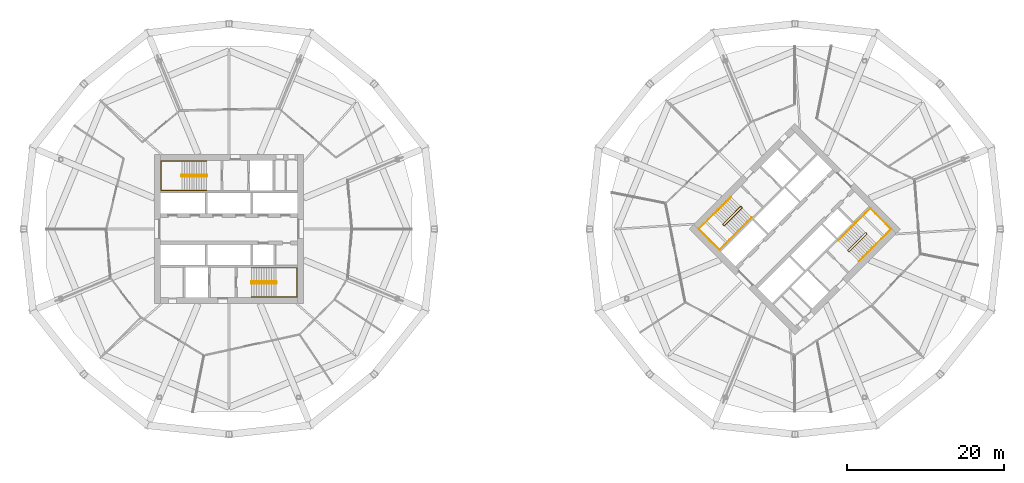
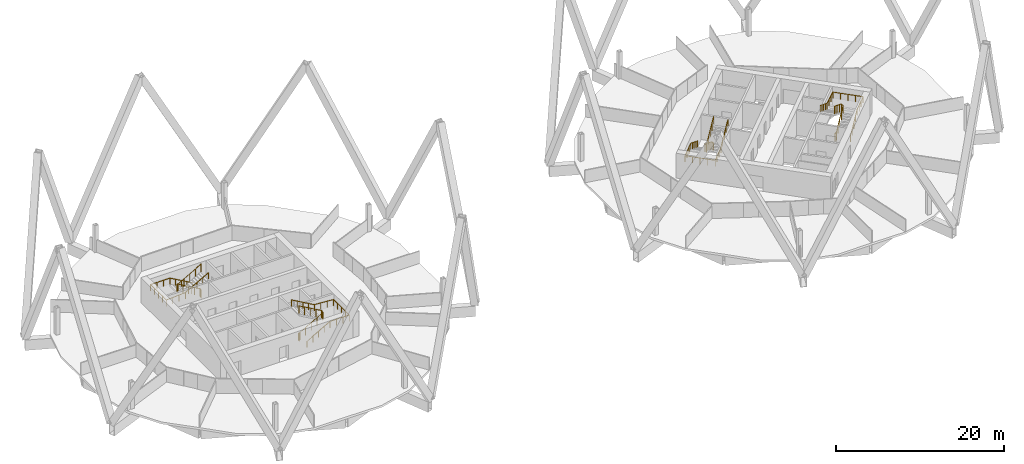
# One storey, part 9 of 9: 8 railings.
"""IFC4 building model written with IfcOpenShell, lengths in metres."""

from ifc_helpers import new_model, si_unit, direction, frame, origin, origin_2d, place, context, subcontext, project, spatial, circle, extrude, material, type_object, element, save


model = new_model("IFC4")

# Units and contexts
model_context = context("Model", 3, precision=1e-05, world=origin(), true_north=direction((0.0, 1.0)))
body_context = subcontext(model_context, "Body", "Model", "MODEL_VIEW")
ifc_project = project(units=[si_unit("LENGTHUNIT", "METRE"), si_unit("AREAUNIT", "SQUARE_METRE"), si_unit("VOLUMEUNIT", "CUBIC_METRE"), si_unit("PLANEANGLEUNIT", "RADIAN"), si_unit("MASSUNIT", "GRAM", prefix="KILO")], contexts=[model_context])

# Site, building, storey
site_placement = place(None, origin())
site = spatial("IfcSite", under=ifc_project, at=site_placement, CompositionType="ELEMENT")
building_placement = place(site_placement, origin())
building = spatial("IfcBuilding", under=site, at=building_placement, Name="Ogive Gate Towers", CompositionType="ELEMENT")
storey_placement = place(building_placement, frame((0.0, 0.0, 95.699951171875)))
storey = spatial("IfcBuildingStorey", under=building, at=storey_placement, Name="L22", CompositionType="ELEMENT", Elevation=95.699951171875)

# Railings
ifc_material = material(Name="Stainless steel", Category="steel")
railing_type_1 = type_object("IfcRailingType", Name="Stair guard 1100", PredefinedType="GUARDRAIL", material=ifc_material)
railing_1_placement = place(storey_placement, frame((-38.81494140625, 6.860107421875, 0.0)))
element("IfcRailing", 1, at=railing_1_placement, inside=storey, type_object=railing_type_1, Name="L22 ST1 stair guard 1", PredefinedType="GUARDRAIL", context=body_context, shape_type="SweptSolid", body=[
    extrude(circle(Radius=0.02392578125, at=origin_2d()), frame((0.0, 0.0, 1.076171875), z_axis=(0.0, -1.0, 0.0), x_axis=(1.0, 0.0, 0.0)), (0.0, 0.0, 1.0), 0.14501953125),
    extrude(circle(Radius=0.02392578125, at=origin_2d()), frame((0.0, -0.14501953125, 1.076171875), z_axis=(-0.186679794065, 0.726685247142, 0.661119660934), x_axis=(-0.968551454522, -0.24881334358, 0.0)), (0.0, 0.0, 1.0), 0.26806640625),
    extrude(circle(Radius=0.02392578125, at=origin_2d()), frame((-0.050048828125, 0.0498046875, 1.25341796875), z_axis=(-0.870572935281, 0.0, 0.492039393094), x_axis=(0.0, -1.0, 0.0)), (0.0, 0.0, 1.0), 3.602783203125),
    extrude(circle(Radius=0.02392578125, at=origin_2d()), frame((-3.1865234375, 0.0498046875, 3.02587890625), z_axis=(-0.707106781187, -0.707106781187, 0.0), x_axis=(0.707106781187, -0.707106781187, 0.0)), (0.0, 0.0, 1.0), 0.0703125),
    extrude(circle(Radius=0.02392578125, at=origin_2d()), frame((-3.236328125, 0.0, 3.02587890625), z_axis=(0.0, -1.0, 0.0), x_axis=(1.0, 0.0, 0.0)), (0.0, 0.0, 1.0), 0.14501953125),
    extrude(circle(Radius=0.02392578125, at=origin_2d()), frame((-3.236328125, -0.14501953125, 3.02587890625), z_axis=(0.260731885961, -0.262009983441, 0.929176868105), x_axis=(0.708833529934, 0.705375805398, 0.0)), (0.0, 0.0, 1.0), 0.19091796875),
    extrude(circle(Radius=0.02392578125, at=origin_2d()), frame((-3.1865234375, -0.195068359375, 3.20361328125), z_axis=(0.870572935281, 0.0, 0.492039393094), x_axis=(0.0, 1.0, 0.0)), (0.0, 0.0, 1.0), 3.602783203125),
    extrude(circle(Radius=0.02099609375, at=origin_2d()), origin(), (0.0, 0.0, 1.0), 1.052001953125),
    extrude(circle(Radius=0.02099609375, at=origin_2d()), frame((0.0, -0.14501953125, 0.0)), (0.0, 0.0, 1.0), 1.052001953125),
    extrude(circle(Radius=0.02099609375, at=origin_2d()), frame((-0.050048828125, 0.0498046875, 0.17724609375)), (0.0, 0.0, 1.0), 1.052001953125),
    extrude(circle(Radius=0.02099609375, at=origin_2d()), frame((-0.834228515625, 0.0498046875, 0.620361328125)), (0.0, 0.0, 1.0), 1.052001953125),
    extrude(circle(Radius=0.02099609375, at=origin_2d()), frame((-1.6181640625, 0.0498046875, 1.0634765625)), (0.0, 0.0, 1.0), 1.052001953125),
    extrude(circle(Radius=0.02099609375, at=origin_2d()), frame((-2.40234375, 0.0498046875, 1.5068359375)), (0.0, 0.0, 1.0), 1.052001953125),
    extrude(circle(Radius=0.02099609375, at=origin_2d()), frame((-3.1865234375, 0.0498046875, 1.949951171875)), (0.0, 0.0, 1.0), 1.052001953125),
    extrude(circle(Radius=0.02099609375, at=origin_2d()), frame((-3.236328125, 0.0, 1.949951171875)), (0.0, 0.0, 1.0), 1.052001953125),
    extrude(circle(Radius=0.02099609375, at=origin_2d()), frame((-3.236328125, -0.14501953125, 1.949951171875)), (0.0, 0.0, 1.0), 1.052001953125),
    extrude(circle(Radius=0.02099609375, at=origin_2d()), frame((-3.1865234375, -0.195068359375, 2.12744140625)), (0.0, 0.0, 1.0), 1.052001953125),
    extrude(circle(Radius=0.02099609375, at=origin_2d()), frame((-2.40234375, -0.195068359375, 2.570556640625)), (0.0, 0.0, 1.0), 1.052001953125),
    extrude(circle(Radius=0.02099609375, at=origin_2d()), frame((-1.6181640625, -0.195068359375, 3.013671875)), (0.0, 0.0, 1.0), 1.052001953125),
    extrude(circle(Radius=0.02099609375, at=origin_2d()), frame((-0.834228515625, -0.195068359375, 3.45703125)), (0.0, 0.0, 1.0), 1.052001953125),
    extrude(circle(Radius=0.02099609375, at=origin_2d()), frame((-0.050048828125, -0.195068359375, 3.900146484375)), (0.0, 0.0, 1.0), 1.052001953125),
])
railing_2_placement = place(storey_placement, frame((-33.18505859375, -6.860107421875, 0.0)))
element("IfcRailing", 2, at=railing_2_placement, inside=storey, type_object=railing_type_1, Name="L22 ST2 stair guard 1", PredefinedType="GUARDRAIL", context=body_context, shape_type="SweptSolid", body=[
    extrude(circle(Radius=0.02392578125, at=origin_2d()), frame((0.0, 0.0, 1.076171875), z_axis=(0.0, 1.0, 0.0), x_axis=(-1.0, 0.0, 0.0)), (0.0, 0.0, 1.0), 0.14501953125),
    extrude(circle(Radius=0.02392578125, at=origin_2d()), frame((0.0, 0.14501953125, 1.076171875), z_axis=(0.186679794065, -0.726685247142, 0.661119660934), x_axis=(0.968551454522, 0.24881334358, 0.0)), (0.0, 0.0, 1.0), 0.26806640625),
    extrude(circle(Radius=0.02392578125, at=origin_2d()), frame((0.050048828125, -0.0498046875, 1.25341796875), z_axis=(0.870572935281, 0.0, 0.492039393094), x_axis=(0.0, 1.0, 0.0)), (0.0, 0.0, 1.0), 3.602783203125),
    extrude(circle(Radius=0.02392578125, at=origin_2d()), frame((3.1865234375, -0.0498046875, 3.02587890625), z_axis=(0.707106781187, 0.707106781187, 0.0), x_axis=(-0.707106781187, 0.707106781187, 0.0)), (0.0, 0.0, 1.0), 0.0703125),
    extrude(circle(Radius=0.02392578125, at=origin_2d()), frame((3.236328125, 0.0, 3.02587890625), z_axis=(0.0, 1.0, 0.0), x_axis=(-1.0, 0.0, 0.0)), (0.0, 0.0, 1.0), 0.14501953125),
    extrude(circle(Radius=0.02392578125, at=origin_2d()), frame((3.236328125, 0.14501953125, 3.02587890625), z_axis=(-0.260731885961, 0.262009983441, 0.929176868105), x_axis=(-0.708833529934, -0.705375805398, 0.0)), (0.0, 0.0, 1.0), 0.19091796875),
    extrude(circle(Radius=0.02392578125, at=origin_2d()), frame((3.1865234375, 0.195068359375, 3.20361328125), z_axis=(-0.870572935281, 0.0, 0.492039393094), x_axis=(0.0, -1.0, 0.0)), (0.0, 0.0, 1.0), 3.602783203125),
    extrude(circle(Radius=0.02099609375, at=origin_2d()), origin(), (0.0, 0.0, 1.0), 1.052001953125),
    extrude(circle(Radius=0.02099609375, at=origin_2d()), frame((0.0, 0.14501953125, 0.0)), (0.0, 0.0, 1.0), 1.052001953125),
    extrude(circle(Radius=0.02099609375, at=origin_2d()), frame((0.050048828125, -0.0498046875, 0.17724609375)), (0.0, 0.0, 1.0), 1.052001953125),
    extrude(circle(Radius=0.02099609375, at=origin_2d()), frame((0.834228515625, -0.0498046875, 0.620361328125)), (0.0, 0.0, 1.0), 1.052001953125),
    extrude(circle(Radius=0.02099609375, at=origin_2d()), frame((1.6181640625, -0.0498046875, 1.0634765625)), (0.0, 0.0, 1.0), 1.052001953125),
    extrude(circle(Radius=0.02099609375, at=origin_2d()), frame((2.40234375, -0.0498046875, 1.5068359375)), (0.0, 0.0, 1.0), 1.052001953125),
    extrude(circle(Radius=0.02099609375, at=origin_2d()), frame((3.1865234375, -0.0498046875, 1.949951171875)), (0.0, 0.0, 1.0), 1.052001953125),
    extrude(circle(Radius=0.02099609375, at=origin_2d()), frame((3.236328125, 0.0, 1.949951171875)), (0.0, 0.0, 1.0), 1.052001953125),
    extrude(circle(Radius=0.02099609375, at=origin_2d()), frame((3.236328125, 0.14501953125, 1.949951171875)), (0.0, 0.0, 1.0), 1.052001953125),
    extrude(circle(Radius=0.02099609375, at=origin_2d()), frame((3.1865234375, 0.195068359375, 2.12744140625)), (0.0, 0.0, 1.0), 1.052001953125),
    extrude(circle(Radius=0.02099609375, at=origin_2d()), frame((2.40234375, 0.195068359375, 2.570556640625)), (0.0, 0.0, 1.0), 1.052001953125),
    extrude(circle(Radius=0.02099609375, at=origin_2d()), frame((1.6181640625, 0.195068359375, 3.013671875)), (0.0, 0.0, 1.0), 1.052001953125),
    extrude(circle(Radius=0.02099609375, at=origin_2d()), frame((0.834228515625, 0.195068359375, 3.45703125)), (0.0, 0.0, 1.0), 1.052001953125),
    extrude(circle(Radius=0.02099609375, at=origin_2d()), frame((0.050048828125, 0.195068359375, 3.900146484375)), (0.0, 0.0, 1.0), 1.052001953125),
])
railing_3_placement = place(storey_placement, frame((29.15869140625, 2.8603515625, 0.0)))
element("IfcRailing", 3, at=railing_3_placement, inside=storey, type_object=railing_type_1, Name="L22 ST1 stair guard 1", PredefinedType="GUARDRAIL", context=body_context, shape_type="SweptSolid", body=[
    extrude(circle(Radius=0.02392578125, at=origin_2d()), frame((0.0, 0.0, 1.076171875), z_axis=(0.707106781187, -0.707106781187, 0.0), x_axis=(0.707106781187, 0.707106781187, 0.0)), (0.0, 0.0, 1.0), 0.14501953125),
    extrude(circle(Radius=0.02392578125, at=origin_2d()), frame((0.1025390625, -0.1025390625, 1.076171875), z_axis=(-0.645571447971, 0.382425963537, 0.661050594114), x_axis=(-0.509669330572, -0.860370369942, 0.0)), (0.0, 0.0, 1.0), 0.26806640625),
    extrude(circle(Radius=0.02392578125, at=origin_2d()), frame((-0.070556640625, 0.0, 1.25341796875), z_axis=(-0.61558473135, -0.61558473135, 0.49204763698), x_axis=(0.707106781187, -0.707106781187, 0.0)), (0.0, 0.0, 1.0), 3.602783203125),
    extrude(circle(Radius=0.02392578125, at=origin_2d()), frame((-2.288330078125, -2.2177734375, 3.02587890625), z_axis=(0.0, -1.0, 0.0), x_axis=(1.0, 0.0, 0.0)), (0.0, 0.0, 1.0), 0.07080078125),
    extrude(circle(Radius=0.02392578125, at=origin_2d()), frame((-2.288330078125, -2.28857421875, 3.02587890625), z_axis=(0.707106781187, -0.707106781187, 0.0), x_axis=(0.707106781187, 0.707106781187, 0.0)), (0.0, 0.0, 1.0), 0.14501953125),
    extrude(circle(Radius=0.02392578125, at=origin_2d()), frame((-2.185791015625, -2.39111328125, 3.02587890625), z_axis=(0.369406379806, 0.0, 0.92926795197), x_axis=(0.0, 1.0, 0.0)), (0.0, 0.0, 1.0), 0.19091796875),
    extrude(circle(Radius=0.02392578125, at=origin_2d()), frame((-2.115234375, -2.39111328125, 3.20361328125), z_axis=(0.61558473135, 0.61558473135, 0.49204763698), x_axis=(-0.707106781187, 0.707106781187, 0.0)), (0.0, 0.0, 1.0), 3.602783203125),
    extrude(circle(Radius=0.02099609375, at=origin_2d()), origin(), (0.0, 0.0, 1.0), 1.052001953125),
    extrude(circle(Radius=0.02099609375, at=origin_2d()), frame((0.1025390625, -0.1025390625, 0.0)), (0.0, 0.0, 1.0), 1.052001953125),
    extrude(circle(Radius=0.02099609375, at=origin_2d()), frame((-0.070556640625, 0.0, 0.17724609375)), (0.0, 0.0, 1.0), 1.052001953125),
    extrude(circle(Radius=0.02099609375, at=origin_2d()), frame((-0.625, -0.554443359375, 0.620361328125)), (0.0, 0.0, 1.0), 1.052001953125),
    extrude(circle(Radius=0.02099609375, at=origin_2d()), frame((-1.179443359375, -1.10888671875, 1.0634765625)), (0.0, 0.0, 1.0), 1.052001953125),
    extrude(circle(Radius=0.02099609375, at=origin_2d()), frame((-1.73388671875, -1.663330078125, 1.5068359375)), (0.0, 0.0, 1.0), 1.052001953125),
    extrude(circle(Radius=0.02099609375, at=origin_2d()), frame((-2.288330078125, -2.2177734375, 1.949951171875)), (0.0, 0.0, 1.0), 1.052001953125),
    extrude(circle(Radius=0.02099609375, at=origin_2d()), frame((-2.288330078125, -2.28857421875, 1.949951171875)), (0.0, 0.0, 1.0), 1.052001953125),
    extrude(circle(Radius=0.02099609375, at=origin_2d()), frame((-2.185791015625, -2.39111328125, 1.949951171875)), (0.0, 0.0, 1.0), 1.052001953125),
    extrude(circle(Radius=0.02099609375, at=origin_2d()), frame((-2.115234375, -2.39111328125, 2.12744140625)), (0.0, 0.0, 1.0), 1.052001953125),
    extrude(circle(Radius=0.02099609375, at=origin_2d()), frame((-1.560791015625, -1.836669921875, 2.570556640625)), (0.0, 0.0, 1.0), 1.052001953125),
    extrude(circle(Radius=0.02099609375, at=origin_2d()), frame((-1.00634765625, -1.2822265625, 3.013671875)), (0.0, 0.0, 1.0), 1.052001953125),
    extrude(circle(Radius=0.02099609375, at=origin_2d()), frame((-0.451904296875, -0.727783203125, 3.45703125)), (0.0, 0.0, 1.0), 1.052001953125),
    extrude(circle(Radius=0.02099609375, at=origin_2d()), frame((0.1025390625, -0.17333984375, 3.900146484375)), (0.0, 0.0, 1.0), 1.052001953125),
])
railing_4_placement = place(storey_placement, frame((42.84130859375, -2.8603515625, 0.0)))
element("IfcRailing", 4, at=railing_4_placement, inside=storey, type_object=railing_type_1, Name="L22 ST2 stair guard 1", PredefinedType="GUARDRAIL", context=body_context, shape_type="SweptSolid", body=[
    extrude(circle(Radius=0.02392578125, at=origin_2d()), frame((0.0, 0.0, 1.076171875), z_axis=(-0.707106781187, 0.707106781187, 0.0), x_axis=(-0.707106781187, -0.707106781187, 0.0)), (0.0, 0.0, 1.0), 0.14501953125),
    extrude(circle(Radius=0.02392578125, at=origin_2d()), frame((-0.1025390625, 0.1025390625, 1.076171875), z_axis=(0.645571447971, -0.382425963537, 0.661050594114), x_axis=(0.509669330572, 0.860370369942, 0.0)), (0.0, 0.0, 1.0), 0.26806640625),
    extrude(circle(Radius=0.02392578125, at=origin_2d()), frame((0.070556640625, 0.0, 1.25341796875), z_axis=(0.61558473135, 0.61558473135, 0.49204763698), x_axis=(-0.707106781187, 0.707106781187, 0.0)), (0.0, 0.0, 1.0), 3.602783203125),
    extrude(circle(Radius=0.02392578125, at=origin_2d()), frame((2.288330078125, 2.2177734375, 3.02587890625), z_axis=(0.0, 1.0, 0.0), x_axis=(-1.0, 0.0, 0.0)), (0.0, 0.0, 1.0), 0.07080078125),
    extrude(circle(Radius=0.02392578125, at=origin_2d()), frame((2.288330078125, 2.28857421875, 3.02587890625), z_axis=(-0.707106781187, 0.707106781187, 0.0), x_axis=(-0.707106781187, -0.707106781187, 0.0)), (0.0, 0.0, 1.0), 0.14501953125),
    extrude(circle(Radius=0.02392578125, at=origin_2d()), frame((2.185791015625, 2.39111328125, 3.02587890625), z_axis=(-0.369406379806, 0.0, 0.92926795197), x_axis=(0.0, -1.0, 0.0)), (0.0, 0.0, 1.0), 0.19091796875),
    extrude(circle(Radius=0.02392578125, at=origin_2d()), frame((2.115234375, 2.39111328125, 3.20361328125), z_axis=(-0.61558473135, -0.61558473135, 0.49204763698), x_axis=(0.707106781187, -0.707106781187, 0.0)), (0.0, 0.0, 1.0), 3.602783203125),
    extrude(circle(Radius=0.02099609375, at=origin_2d()), origin(), (0.0, 0.0, 1.0), 1.052001953125),
    extrude(circle(Radius=0.02099609375, at=origin_2d()), frame((-0.1025390625, 0.1025390625, 0.0)), (0.0, 0.0, 1.0), 1.052001953125),
    extrude(circle(Radius=0.02099609375, at=origin_2d()), frame((0.070556640625, 0.0, 0.17724609375)), (0.0, 0.0, 1.0), 1.052001953125),
    extrude(circle(Radius=0.02099609375, at=origin_2d()), frame((0.625, 0.554443359375, 0.620361328125)), (0.0, 0.0, 1.0), 1.052001953125),
    extrude(circle(Radius=0.02099609375, at=origin_2d()), frame((1.179443359375, 1.10888671875, 1.0634765625)), (0.0, 0.0, 1.0), 1.052001953125),
    extrude(circle(Radius=0.02099609375, at=origin_2d()), frame((1.73388671875, 1.663330078125, 1.5068359375)), (0.0, 0.0, 1.0), 1.052001953125),
    extrude(circle(Radius=0.02099609375, at=origin_2d()), frame((2.288330078125, 2.2177734375, 1.949951171875)), (0.0, 0.0, 1.0), 1.052001953125),
    extrude(circle(Radius=0.02099609375, at=origin_2d()), frame((2.288330078125, 2.28857421875, 1.949951171875)), (0.0, 0.0, 1.0), 1.052001953125),
    extrude(circle(Radius=0.02099609375, at=origin_2d()), frame((2.185791015625, 2.39111328125, 1.949951171875)), (0.0, 0.0, 1.0), 1.052001953125),
    extrude(circle(Radius=0.02099609375, at=origin_2d()), frame((2.115234375, 2.39111328125, 2.12744140625)), (0.0, 0.0, 1.0), 1.052001953125),
    extrude(circle(Radius=0.02099609375, at=origin_2d()), frame((1.560791015625, 1.836669921875, 2.570556640625)), (0.0, 0.0, 1.0), 1.052001953125),
    extrude(circle(Radius=0.02099609375, at=origin_2d()), frame((1.00634765625, 1.2822265625, 3.013671875)), (0.0, 0.0, 1.0), 1.052001953125),
    extrude(circle(Radius=0.02099609375, at=origin_2d()), frame((0.451904296875, 0.727783203125, 3.45703125)), (0.0, 0.0, 1.0), 1.052001953125),
    extrude(circle(Radius=0.02099609375, at=origin_2d()), frame((-0.1025390625, 0.17333984375, 3.900146484375)), (0.0, 0.0, 1.0), 1.052001953125),
])
railing_type_2 = type_object("IfcRailingType", Name="Stair handrail 900", PredefinedType="HANDRAIL", material=ifc_material)
railing_5_placement = place(storey_placement, frame((-38.864990234375, 8.64990234375, 0.17724609375)))
element("IfcRailing", 5, at=railing_5_placement, inside=storey, type_object=railing_type_2, Name="L22 ST1 stair handrail 1", PredefinedType="HANDRAIL", context=body_context, shape_type="SweptSolid", body=[
    extrude(circle(Radius=0.02392578125, at=origin_2d()), frame((0.0, 0.0, 0.8759765625), z_axis=(-0.870572935281, 0.0, 0.492039393094), x_axis=(0.0, -1.0, 0.0)), (0.0, 0.0, 1.0), 3.602783203125),
    extrude(circle(Radius=0.02392578125, at=origin_2d()), frame((-3.136474609375, 0.0, 2.6484375), z_axis=(-1.0, 0.0, 0.0), x_axis=(0.0, -1.0, 0.0)), (0.0, 0.0, 1.0), 2.6484375),
    extrude(circle(Radius=0.02392578125, at=origin_2d()), frame((-5.784912109375, 0.0, 2.6484375), z_axis=(0.0, -1.0, 0.0), x_axis=(1.0, 0.0, 0.0)), (0.0, 0.0, 1.0), 3.724853515625),
    extrude(circle(Radius=0.02392578125, at=origin_2d()), frame((-5.784912109375, -3.724853515625, 2.6484375), z_axis=(0.997761899551, 0.0, 0.06686697096), x_axis=(0.0, 1.0, 0.0)), (0.0, 0.0, 1.0), 2.654296875),
    extrude(circle(Radius=0.02392578125, at=origin_2d()), frame((-3.136474609375, -3.724853515625, 2.826171875), z_axis=(0.870572935281, 0.0, 0.492039393094), x_axis=(0.0, 1.0, 0.0)), (0.0, 0.0, 1.0), 3.602783203125),
    extrude(circle(Radius=0.02099609375, at=origin_2d()), origin(), (0.0, 0.0, 1.0), 0.851806640625),
    extrude(circle(Radius=0.02099609375, at=origin_2d()), frame((-0.7841796875, 0.0, 0.443115234375)), (0.0, 0.0, 1.0), 0.851806640625),
    extrude(circle(Radius=0.02099609375, at=origin_2d()), frame((-1.568359375, 0.0, 0.88623046875)), (0.0, 0.0, 1.0), 0.851806640625),
    extrude(circle(Radius=0.02099609375, at=origin_2d()), frame((-2.352294921875, 0.0, 1.32958984375)), (0.0, 0.0, 1.0), 0.851806640625),
    extrude(circle(Radius=0.02099609375, at=origin_2d()), frame((-3.136474609375, 0.0, 1.772705078125)), (0.0, 0.0, 1.0), 0.851806640625),
    extrude(circle(Radius=0.02099609375, at=origin_2d()), frame((-4.019287109375, 0.0, 1.772705078125)), (0.0, 0.0, 1.0), 0.851806640625),
    extrude(circle(Radius=0.02099609375, at=origin_2d()), frame((-4.902099609375, 0.0, 1.772705078125)), (0.0, 0.0, 1.0), 0.851806640625),
    extrude(circle(Radius=0.02099609375, at=origin_2d()), frame((-5.784912109375, 0.0, 1.772705078125)), (0.0, 0.0, 1.0), 0.851806640625),
    extrude(circle(Radius=0.02099609375, at=origin_2d()), frame((-5.784912109375, -0.93115234375, 1.772705078125)), (0.0, 0.0, 1.0), 0.851806640625),
    extrude(circle(Radius=0.02099609375, at=origin_2d()), frame((-5.784912109375, -1.8623046875, 1.772705078125)), (0.0, 0.0, 1.0), 0.851806640625),
    extrude(circle(Radius=0.02099609375, at=origin_2d()), frame((-5.784912109375, -2.793701171875, 1.772705078125)), (0.0, 0.0, 1.0), 0.851806640625),
    extrude(circle(Radius=0.02099609375, at=origin_2d()), frame((-5.784912109375, -3.724853515625, 1.772705078125)), (0.0, 0.0, 1.0), 0.851806640625),
    extrude(circle(Radius=0.02099609375, at=origin_2d()), frame((-4.902099609375, -3.724853515625, 1.831787109375)), (0.0, 0.0, 1.0), 0.851806640625),
    extrude(circle(Radius=0.02099609375, at=origin_2d()), frame((-4.019287109375, -3.724853515625, 1.89111328125)), (0.0, 0.0, 1.0), 0.851806640625),
    extrude(circle(Radius=0.02099609375, at=origin_2d()), frame((-3.136474609375, -3.724853515625, 1.9501953125)), (0.0, 0.0, 1.0), 0.851806640625),
    extrude(circle(Radius=0.02099609375, at=origin_2d()), frame((-2.352294921875, -3.724853515625, 2.393310546875)), (0.0, 0.0, 1.0), 0.851806640625),
    extrude(circle(Radius=0.02099609375, at=origin_2d()), frame((-1.568359375, -3.724853515625, 2.83642578125)), (0.0, 0.0, 1.0), 0.851806640625),
    extrude(circle(Radius=0.02099609375, at=origin_2d()), frame((-0.7841796875, -3.724853515625, 3.27978515625)), (0.0, 0.0, 1.0), 0.851806640625),
    extrude(circle(Radius=0.02099609375, at=origin_2d()), frame((0.0, -3.724853515625, 3.722900390625)), (0.0, 0.0, 1.0), 0.851806640625),
])
railing_6_placement = place(storey_placement, frame((-33.135009765625, -8.64990234375, 0.17724609375)))
element("IfcRailing", 6, at=railing_6_placement, inside=storey, type_object=railing_type_2, Name="L22 ST2 stair handrail 1", PredefinedType="HANDRAIL", context=body_context, shape_type="SweptSolid", body=[
    extrude(circle(Radius=0.02392578125, at=origin_2d()), frame((0.0, 0.0, 0.8759765625), z_axis=(0.870572935281, 0.0, 0.492039393094), x_axis=(0.0, 1.0, 0.0)), (0.0, 0.0, 1.0), 3.602783203125),
    extrude(circle(Radius=0.02392578125, at=origin_2d()), frame((3.136474609375, 0.0, 2.6484375), z_axis=(1.0, 0.0, 0.0), x_axis=(0.0, 1.0, 0.0)), (0.0, 0.0, 1.0), 2.6484375),
    extrude(circle(Radius=0.02392578125, at=origin_2d()), frame((5.784912109375, 0.0, 2.6484375), z_axis=(0.0, 1.0, 0.0), x_axis=(-1.0, 0.0, 0.0)), (0.0, 0.0, 1.0), 3.724853515625),
    extrude(circle(Radius=0.02392578125, at=origin_2d()), frame((5.784912109375, 3.724853515625, 2.6484375), z_axis=(-0.997761899551, 0.0, 0.06686697096), x_axis=(0.0, -1.0, 0.0)), (0.0, 0.0, 1.0), 2.654296875),
    extrude(circle(Radius=0.02392578125, at=origin_2d()), frame((3.136474609375, 3.724853515625, 2.826171875), z_axis=(-0.870572935281, 0.0, 0.492039393094), x_axis=(0.0, -1.0, 0.0)), (0.0, 0.0, 1.0), 3.602783203125),
    extrude(circle(Radius=0.02099609375, at=origin_2d()), origin(), (0.0, 0.0, 1.0), 0.851806640625),
    extrude(circle(Radius=0.02099609375, at=origin_2d()), frame((0.7841796875, 0.0, 0.443115234375)), (0.0, 0.0, 1.0), 0.851806640625),
    extrude(circle(Radius=0.02099609375, at=origin_2d()), frame((1.568359375, 0.0, 0.88623046875)), (0.0, 0.0, 1.0), 0.851806640625),
    extrude(circle(Radius=0.02099609375, at=origin_2d()), frame((2.352294921875, 0.0, 1.32958984375)), (0.0, 0.0, 1.0), 0.851806640625),
    extrude(circle(Radius=0.02099609375, at=origin_2d()), frame((3.136474609375, 0.0, 1.772705078125)), (0.0, 0.0, 1.0), 0.851806640625),
    extrude(circle(Radius=0.02099609375, at=origin_2d()), frame((4.019287109375, 0.0, 1.772705078125)), (0.0, 0.0, 1.0), 0.851806640625),
    extrude(circle(Radius=0.02099609375, at=origin_2d()), frame((4.902099609375, 0.0, 1.772705078125)), (0.0, 0.0, 1.0), 0.851806640625),
    extrude(circle(Radius=0.02099609375, at=origin_2d()), frame((5.784912109375, 0.0, 1.772705078125)), (0.0, 0.0, 1.0), 0.851806640625),
    extrude(circle(Radius=0.02099609375, at=origin_2d()), frame((5.784912109375, 0.93115234375, 1.772705078125)), (0.0, 0.0, 1.0), 0.851806640625),
    extrude(circle(Radius=0.02099609375, at=origin_2d()), frame((5.784912109375, 1.8623046875, 1.772705078125)), (0.0, 0.0, 1.0), 0.851806640625),
    extrude(circle(Radius=0.02099609375, at=origin_2d()), frame((5.784912109375, 2.793701171875, 1.772705078125)), (0.0, 0.0, 1.0), 0.851806640625),
    extrude(circle(Radius=0.02099609375, at=origin_2d()), frame((5.784912109375, 3.724853515625, 1.772705078125)), (0.0, 0.0, 1.0), 0.851806640625),
    extrude(circle(Radius=0.02099609375, at=origin_2d()), frame((4.902099609375, 3.724853515625, 1.831787109375)), (0.0, 0.0, 1.0), 0.851806640625),
    extrude(circle(Radius=0.02099609375, at=origin_2d()), frame((4.019287109375, 3.724853515625, 1.89111328125)), (0.0, 0.0, 1.0), 0.851806640625),
    extrude(circle(Radius=0.02099609375, at=origin_2d()), frame((3.136474609375, 3.724853515625, 1.9501953125)), (0.0, 0.0, 1.0), 0.851806640625),
    extrude(circle(Radius=0.02099609375, at=origin_2d()), frame((2.352294921875, 3.724853515625, 2.393310546875)), (0.0, 0.0, 1.0), 0.851806640625),
    extrude(circle(Radius=0.02099609375, at=origin_2d()), frame((1.568359375, 3.724853515625, 2.83642578125)), (0.0, 0.0, 1.0), 0.851806640625),
    extrude(circle(Radius=0.02099609375, at=origin_2d()), frame((0.7841796875, 3.724853515625, 3.27978515625)), (0.0, 0.0, 1.0), 0.851806640625),
    extrude(circle(Radius=0.02099609375, at=origin_2d()), frame((0.0, 3.724853515625, 3.722900390625)), (0.0, 0.0, 1.0), 0.851806640625),
])
railing_7_placement = place(storey_placement, frame((27.857666015625, 4.090576171875, 0.17724609375)))
element("IfcRailing", 7, at=railing_7_placement, inside=storey, type_object=railing_type_2, Name="L22 ST1 stair handrail 1", PredefinedType="HANDRAIL", context=body_context, shape_type="SweptSolid", body=[
    extrude(circle(Radius=0.02392578125, at=origin_2d()), frame((0.0, 0.0, 0.8759765625), z_axis=(-0.61558473135, -0.61558473135, 0.49204763698), x_axis=(0.707106781187, -0.707106781187, 0.0)), (0.0, 0.0, 1.0), 3.602783203125),
    extrude(circle(Radius=0.02392578125, at=origin_2d()), frame((-2.2177734375, -2.2177734375, 2.6484375), z_axis=(-0.707106781187, -0.707106781187, 0.0), x_axis=(0.707106781187, -0.707106781187, 0.0)), (0.0, 0.0, 1.0), 2.6484375),
    extrude(circle(Radius=0.02392578125, at=origin_2d()), frame((-4.090576171875, -4.090576171875, 2.6484375), z_axis=(0.707106781187, -0.707106781187, 0.0), x_axis=(0.707106781187, 0.707106781187, 0.0)), (0.0, 0.0, 1.0), 3.72509765625),
    extrude(circle(Radius=0.02392578125, at=origin_2d()), frame((-1.45654296875, -6.724609375, 2.6484375), z_axis=(0.705478551472, 0.705570518432, 0.066859980044), x_axis=(-0.70715286629, 0.70706069308, 0.0)), (0.0, 0.0, 1.0), 2.654541015625),
    extrude(circle(Radius=0.02392578125, at=origin_2d()), frame((0.416259765625, -4.8515625, 2.826171875), z_axis=(0.615610411033, 0.615542642384, 0.4920681632), x_axis=(-0.70706785752, 0.70714570271, 0.0)), (0.0, 0.0, 1.0), 3.6025390625),
    extrude(circle(Radius=0.02099609375, at=origin_2d()), origin(), (0.0, 0.0, 1.0), 0.851806640625),
    extrude(circle(Radius=0.02099609375, at=origin_2d()), frame((-0.554443359375, -0.554443359375, 0.443115234375)), (0.0, 0.0, 1.0), 0.851806640625),
    extrude(circle(Radius=0.02099609375, at=origin_2d()), frame((-1.10888671875, -1.10888671875, 0.88623046875)), (0.0, 0.0, 1.0), 0.851806640625),
    extrude(circle(Radius=0.02099609375, at=origin_2d()), frame((-1.663330078125, -1.663330078125, 1.32958984375)), (0.0, 0.0, 1.0), 0.851806640625),
    extrude(circle(Radius=0.02099609375, at=origin_2d()), frame((-2.2177734375, -2.2177734375, 1.772705078125)), (0.0, 0.0, 1.0), 0.851806640625),
    extrude(circle(Radius=0.02099609375, at=origin_2d()), frame((-2.842041015625, -2.842041015625, 1.772705078125)), (0.0, 0.0, 1.0), 0.851806640625),
    extrude(circle(Radius=0.02099609375, at=origin_2d()), frame((-3.46630859375, -3.46630859375, 1.772705078125)), (0.0, 0.0, 1.0), 0.851806640625),
    extrude(circle(Radius=0.02099609375, at=origin_2d()), frame((-4.090576171875, -4.090576171875, 1.772705078125)), (0.0, 0.0, 1.0), 0.851806640625),
    extrude(circle(Radius=0.02099609375, at=origin_2d()), frame((-3.43212890625, -4.7490234375, 1.772705078125)), (0.0, 0.0, 1.0), 0.851806640625),
    extrude(circle(Radius=0.02099609375, at=origin_2d()), frame((-2.7734375, -5.40771484375, 1.772705078125)), (0.0, 0.0, 1.0), 0.851806640625),
    extrude(circle(Radius=0.02099609375, at=origin_2d()), frame((-2.114990234375, -6.066162109375, 1.772705078125)), (0.0, 0.0, 1.0), 0.851806640625),
    extrude(circle(Radius=0.02099609375, at=origin_2d()), frame((-1.45654296875, -6.724609375, 1.772705078125)), (0.0, 0.0, 1.0), 0.851806640625),
    extrude(circle(Radius=0.02099609375, at=origin_2d()), frame((-0.832275390625, -6.100341796875, 1.831787109375)), (0.0, 0.0, 1.0), 0.851806640625),
    extrude(circle(Radius=0.02099609375, at=origin_2d()), frame((-0.2080078125, -5.475830078125, 1.89111328125)), (0.0, 0.0, 1.0), 0.851806640625),
    extrude(circle(Radius=0.02099609375, at=origin_2d()), frame((0.416259765625, -4.8515625, 1.9501953125)), (0.0, 0.0, 1.0), 0.851806640625),
    extrude(circle(Radius=0.02099609375, at=origin_2d()), frame((0.970703125, -4.297119140625, 2.393310546875)), (0.0, 0.0, 1.0), 0.851806640625),
    extrude(circle(Radius=0.02099609375, at=origin_2d()), frame((1.525146484375, -3.74267578125, 2.83642578125)), (0.0, 0.0, 1.0), 0.851806640625),
    extrude(circle(Radius=0.02099609375, at=origin_2d()), frame((2.07958984375, -3.1884765625, 3.27978515625)), (0.0, 0.0, 1.0), 0.851806640625),
    extrude(circle(Radius=0.02099609375, at=origin_2d()), frame((2.634033203125, -2.634033203125, 3.722900390625)), (0.0, 0.0, 1.0), 0.851806640625),
])
railing_8_placement = place(storey_placement, frame((44.142333984375, -4.090576171875, 0.17724609375)))
element("IfcRailing", 8, at=railing_8_placement, inside=storey, type_object=railing_type_2, Name="L22 ST2 stair handrail 1", PredefinedType="HANDRAIL", context=body_context, shape_type="SweptSolid", body=[
    extrude(circle(Radius=0.02392578125, at=origin_2d()), frame((0.0, 0.0, 0.8759765625), z_axis=(0.61558473135, 0.61558473135, 0.49204763698), x_axis=(-0.707106781187, 0.707106781187, 0.0)), (0.0, 0.0, 1.0), 3.602783203125),
    extrude(circle(Radius=0.02392578125, at=origin_2d()), frame((2.2177734375, 2.2177734375, 2.6484375), z_axis=(0.707106781187, 0.707106781187, 0.0), x_axis=(-0.707106781187, 0.707106781187, 0.0)), (0.0, 0.0, 1.0), 2.6484375),
    extrude(circle(Radius=0.02392578125, at=origin_2d()), frame((4.090576171875, 4.090576171875, 2.6484375), z_axis=(-0.707106781187, 0.707106781187, 0.0), x_axis=(-0.707106781187, -0.707106781187, 0.0)), (0.0, 0.0, 1.0), 3.72509765625),
    extrude(circle(Radius=0.02392578125, at=origin_2d()), frame((1.45654296875, 6.724609375, 2.6484375), z_axis=(-0.705478551472, -0.705570518432, 0.066859980044), x_axis=(0.70715286629, -0.70706069308, 0.0)), (0.0, 0.0, 1.0), 2.654541015625),
    extrude(circle(Radius=0.02392578125, at=origin_2d()), frame((-0.416259765625, 4.8515625, 2.826171875), z_axis=(-0.615610411033, -0.615542642384, 0.4920681632), x_axis=(0.70706785752, -0.70714570271, 0.0)), (0.0, 0.0, 1.0), 3.6025390625),
    extrude(circle(Radius=0.02099609375, at=origin_2d()), origin(), (0.0, 0.0, 1.0), 0.851806640625),
    extrude(circle(Radius=0.02099609375, at=origin_2d()), frame((0.554443359375, 0.554443359375, 0.443115234375)), (0.0, 0.0, 1.0), 0.851806640625),
    extrude(circle(Radius=0.02099609375, at=origin_2d()), frame((1.10888671875, 1.10888671875, 0.88623046875)), (0.0, 0.0, 1.0), 0.851806640625),
    extrude(circle(Radius=0.02099609375, at=origin_2d()), frame((1.663330078125, 1.663330078125, 1.32958984375)), (0.0, 0.0, 1.0), 0.851806640625),
    extrude(circle(Radius=0.02099609375, at=origin_2d()), frame((2.2177734375, 2.2177734375, 1.772705078125)), (0.0, 0.0, 1.0), 0.851806640625),
    extrude(circle(Radius=0.02099609375, at=origin_2d()), frame((2.842041015625, 2.842041015625, 1.772705078125)), (0.0, 0.0, 1.0), 0.851806640625),
    extrude(circle(Radius=0.02099609375, at=origin_2d()), frame((3.46630859375, 3.46630859375, 1.772705078125)), (0.0, 0.0, 1.0), 0.851806640625),
    extrude(circle(Radius=0.02099609375, at=origin_2d()), frame((4.090576171875, 4.090576171875, 1.772705078125)), (0.0, 0.0, 1.0), 0.851806640625),
    extrude(circle(Radius=0.02099609375, at=origin_2d()), frame((3.43212890625, 4.7490234375, 1.772705078125)), (0.0, 0.0, 1.0), 0.851806640625),
    extrude(circle(Radius=0.02099609375, at=origin_2d()), frame((2.7734375, 5.40771484375, 1.772705078125)), (0.0, 0.0, 1.0), 0.851806640625),
    extrude(circle(Radius=0.02099609375, at=origin_2d()), frame((2.114990234375, 6.066162109375, 1.772705078125)), (0.0, 0.0, 1.0), 0.851806640625),
    extrude(circle(Radius=0.02099609375, at=origin_2d()), frame((1.45654296875, 6.724609375, 1.772705078125)), (0.0, 0.0, 1.0), 0.851806640625),
    extrude(circle(Radius=0.02099609375, at=origin_2d()), frame((0.832275390625, 6.100341796875, 1.831787109375)), (0.0, 0.0, 1.0), 0.851806640625),
    extrude(circle(Radius=0.02099609375, at=origin_2d()), frame((0.2080078125, 5.475830078125, 1.89111328125)), (0.0, 0.0, 1.0), 0.851806640625),
    extrude(circle(Radius=0.02099609375, at=origin_2d()), frame((-0.416259765625, 4.8515625, 1.9501953125)), (0.0, 0.0, 1.0), 0.851806640625),
    extrude(circle(Radius=0.02099609375, at=origin_2d()), frame((-0.970703125, 4.297119140625, 2.393310546875)), (0.0, 0.0, 1.0), 0.851806640625),
    extrude(circle(Radius=0.02099609375, at=origin_2d()), frame((-1.525146484375, 3.74267578125, 2.83642578125)), (0.0, 0.0, 1.0), 0.851806640625),
    extrude(circle(Radius=0.02099609375, at=origin_2d()), frame((-2.07958984375, 3.1884765625, 3.27978515625)), (0.0, 0.0, 1.0), 0.851806640625),
    extrude(circle(Radius=0.02099609375, at=origin_2d()), frame((-2.634033203125, 2.634033203125, 3.722900390625)), (0.0, 0.0, 1.0), 0.851806640625),
])

save(model, "model.ifc")
